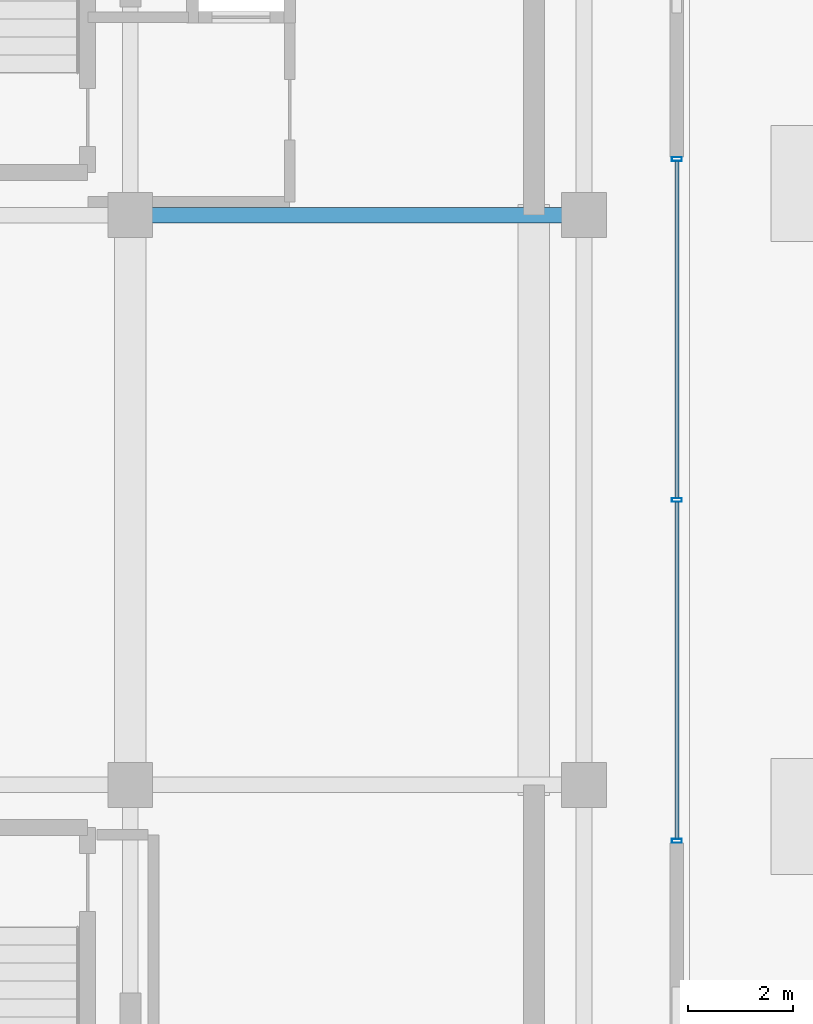
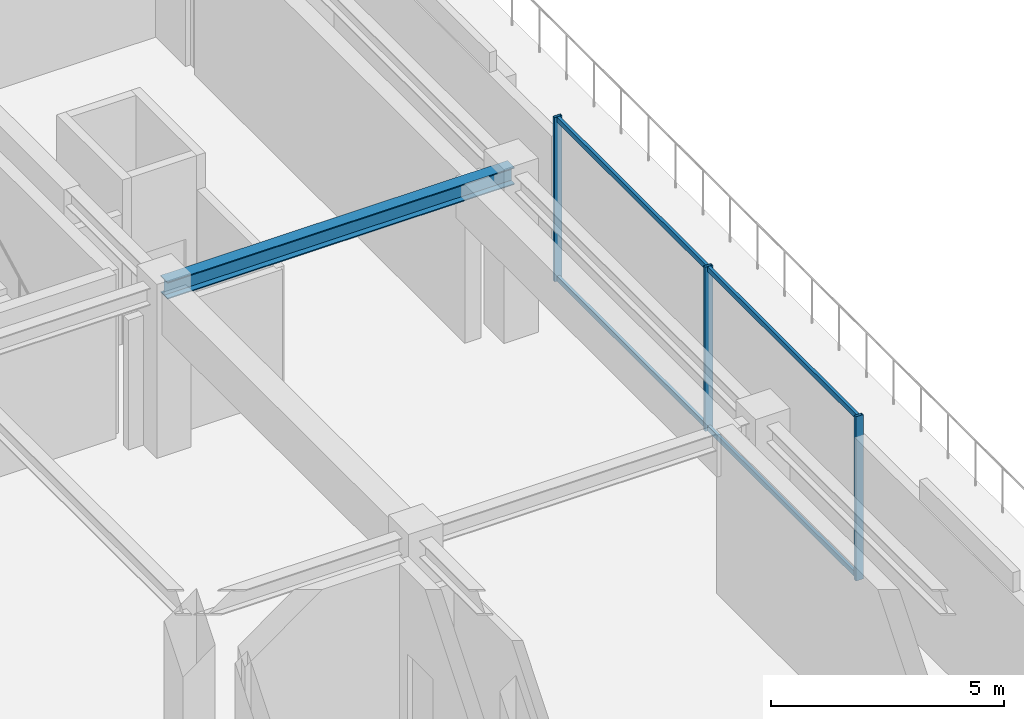
# One storey, part 2 of 13: 7 members, 1 beam, 1 element without a shape of its own.
"""IFC4 building model written with IfcOpenShell, lengths in metres."""

import ifcopenshell
import ifcopenshell.guid

model = None  # the IFC model being written
_history = None  # IfcOwnerHistory: only IFC2X3 demands one
_inside = {}  # id of a spatial element -> (the spatial element, [elements in it])
_under = {}  # id of a project, library or spatial element -> (it, [spatial elements below it])
_declared = {}  # id of a project -> (the project, [libraries it declares])
_typed = {}  # id of a type object -> (the type object, [elements of that type])
_made_of = {}  # id of a material, layer set ... -> (it, [elements and type objects made of it])


def new_model(schema):
    """Start an empty IFC model of exactly this schema.

    Asked for "IFC4X3", IfcOpenShell would pick the latest addendum, in which some entities
    have other attributes; the version numbers below select the first issue.
    IFC2X3 requires an IfcOwnerHistory on every rooted entity: one is made here for all.
    """
    global model, _history
    if schema == "IFC4X3":
        model = ifcopenshell.file(schema_version=(4, 3, 0, 0))
    else:
        model = ifcopenshell.file(schema=schema)
    _inside.clear()
    _under.clear()
    _declared.clear()
    _typed.clear()
    _made_of.clear()
    _history = None
    if model.schema == "IFC2X3":
        org = make("IfcOrganization", Name="unknown")
        user = make(
            "IfcPersonAndOrganization",
            ThePerson=make("IfcPerson", FamilyName="unknown"),
            TheOrganization=org,
        )
        app = make(
            "IfcApplication",
            ApplicationDeveloper=org,
            Version="unknown",
            ApplicationFullName="unknown",
            ApplicationIdentifier="unknown",
        )
        _history = make(
            "IfcOwnerHistory",
            OwningUser=user,
            OwningApplication=app,
            ChangeAction="ADDED",
            CreationDate=0,
        )
    return model


def make(cls, **values):
    """One entity of the class cls with the attributes given. An attribute that is None is left unset."""
    return model.create_entity(
        cls, **{name: value for name, value in values.items() if value is not None}
    )


def rooted(cls, **values):
    """An entity with a GlobalId (a new one), such as an element, a storey or a relation."""
    return make(cls, GlobalId=ifcopenshell.guid.new(), OwnerHistory=_history, **values)


def si_unit(unit_type, name, prefix=None):
    """IfcSIUnit, for example si_unit("LENGTHUNIT", "METRE", prefix="MILLI")."""
    return make("IfcSIUnit", UnitType=unit_type, Prefix=prefix, Name=name)


def assignment(units):
    """IfcUnitAssignment: the units of a project."""
    return None if units is None else make("IfcUnitAssignment", Units=units)


def point(xyz):
    """IfcCartesianPoint."""
    return None if xyz is None else make("IfcCartesianPoint", Coordinates=xyz)


def direction(xyz):
    """IfcDirection."""
    return None if xyz is None else make("IfcDirection", DirectionRatios=xyz)


def frame(location, z_axis=None, x_axis=None):
    """IfcAxis2Placement3D, a coordinate frame: its origin and axes. An axis left out is left unset."""
    return make(
        "IfcAxis2Placement3D",
        Location=point(location),
        Axis=direction(z_axis),
        RefDirection=direction(x_axis),
    )


def frame_2d(location, x_axis=None):
    """IfcAxis2Placement2D, a coordinate frame in the plane: its origin and x axis."""
    return make(
        "IfcAxis2Placement2D", Location=point(location), RefDirection=direction(x_axis)
    )


def origin():
    """The frame at (0, 0, 0) with its axes left unset."""
    return frame((0.0, 0.0, 0.0))


def origin_2d():
    """The frame at (0, 0) in the plane with its x axis left unset."""
    return frame_2d((0.0, 0.0))


def place(relative_to, where):
    """IfcLocalPlacement: puts the frame where relative to a parent placement (None: the world)."""
    return make(
        "IfcLocalPlacement", PlacementRelTo=relative_to, RelativePlacement=where
    )


def context(
    kind, dimensions, precision=None, world=None, true_north=None, identifier=None
):
    """IfcGeometricRepresentationContext, for example the 3D "Model" context."""
    return make(
        "IfcGeometricRepresentationContext",
        ContextIdentifier=identifier,
        ContextType=kind,
        CoordinateSpaceDimension=dimensions,
        Precision=precision,
        WorldCoordinateSystem=world,
        TrueNorth=true_north,
    )


def subcontext(parent, identifier, kind, view, scale=None):
    """IfcGeometricRepresentationSubContext, for example "Body" below "Model"."""
    return make(
        "IfcGeometricRepresentationSubContext",
        ContextIdentifier=identifier,
        ContextType=kind,
        ParentContext=parent,
        TargetScale=scale,
        TargetView=view,
    )


def project(units=None, contexts=None):
    """IfcProject with its units and contexts."""
    return rooted(
        "IfcProject",
        Name="project",
        RepresentationContexts=contexts,
        UnitsInContext=assignment(units),
    )


def spatial(cls, under=None, at=None, **own):
    """A site, building, storey or space (cls), placed at a placement, below another one or the project."""
    s = rooted(cls, ObjectPlacement=at, **own)
    if under is not None:
        _under.setdefault(under.id(), (under, []))[1].append(s)
    return s


def profile(cls, at=None, kind="AREA", **sizes):
    """A parametric profile (cls). Its sizes go by their IFC names, for example OverallWidth=200.0."""
    return make(cls, ProfileType=kind, Position=at, **sizes)


def hollow_rectangle(**sizes):
    """IfcRectangleHollowProfileDef."""
    return profile("IfcRectangleHollowProfileDef", **sizes)


def i_section(**sizes):
    """IfcIShapeProfileDef."""
    return profile("IfcIShapeProfileDef", **sizes)


def extrude(swept, where, along, depth):
    """IfcExtrudedAreaSolid: the profile swept, set in the frame where, extruded along a direction by depth."""
    return make(
        "IfcExtrudedAreaSolid",
        SweptArea=swept,
        Position=where,
        ExtrudedDirection=direction(along),
        Depth=depth,
    )


def shape(context_of_items, identifier, shape_type, items):
    """IfcShapeRepresentation: the items that make up one representation, for example the "Body"."""
    return make(
        "IfcShapeRepresentation",
        ContextOfItems=context_of_items,
        RepresentationIdentifier=identifier,
        RepresentationType=shape_type,
        Items=items,
    )


def source(mapping_origin, context_of_items, identifier, shape_type, items):
    """IfcRepresentationMap: a shape defined once, which mapped items show again and again."""
    return make(
        "IfcRepresentationMap",
        MappingOrigin=mapping_origin,
        MappedRepresentation=shape(context_of_items, identifier, shape_type, items),
    )


def transform(
    local_origin,
    x_axis=None,
    y_axis=None,
    z_axis=None,
    scale=None,
    scale2=None,
    scale3=None,
    uniform=True,
):
    """IfcCartesianTransformationOperator3D, or its non-uniform kind. x_axis, y_axis, z_axis: its Axis1, 2, 3."""
    if uniform:
        return make(
            "IfcCartesianTransformationOperator3D",
            Axis1=direction(x_axis),
            Axis2=direction(y_axis),
            LocalOrigin=point(local_origin),
            Scale=scale,
            Axis3=direction(z_axis),
        )
    return make(
        "IfcCartesianTransformationOperator3DnonUniform",
        Axis1=direction(x_axis),
        Axis2=direction(y_axis),
        LocalOrigin=point(local_origin),
        Scale=scale,
        Axis3=direction(z_axis),
        Scale2=scale2,
        Scale3=scale3,
    )


def mapped(mapping_source, mapping_target):
    """IfcMappedItem: shows the shape of a source again, moved by a transform."""
    return make(
        "IfcMappedItem", MappingSource=mapping_source, MappingTarget=mapping_target
    )


def material(Name=None, Category=None):
    """IfcMaterial."""
    return make("IfcMaterial", Name=Name, Category=Category)


def material_profile(
    of_material, cross_section, Name=None, Category=None, Priority=None
):
    """IfcMaterialProfile: a cross section and its material."""
    return make(
        "IfcMaterialProfile",
        Name=Name,
        Material=of_material,
        Profile=cross_section,
        Priority=Priority,
        Category=Category,
    )


def profile_set(profiles, Name=None, composite=None):
    """IfcMaterialProfileSet."""
    return make(
        "IfcMaterialProfileSet",
        Name=Name,
        MaterialProfiles=profiles,
        CompositeProfile=composite,
    )


def made_of(thing, what):
    """Note that an element or type object is made of a material, layer set ...; save() writes the relation."""
    if what is not None:
        _made_of.setdefault(what.id(), (what, []))[1].append(thing)
    return thing


def type_object(cls, material=None, **own):
    """A type object (cls), such as IfcWallType, which elements share."""
    return made_of(rooted(cls, **own), material)


def element(
    cls,
    number,
    at=None,
    inside=None,
    cuts=None,
    type_object=None,
    material=None,
    context=None,
    identifier="Body",
    shape_type=None,
    held_by="IfcProductDefinitionShape",
    body=None,
    shapes=None,
    **own,
):
    """One element of the class cls, such as IfcWall. Its Tag is "e" and its number.

    at: its placement. inside: the storey or other place that contains it. cuts: it is an
    opening in that element (IfcRelVoidsElement). A single representation is given by context,
    identifier, shape_type and body (its items); several are given by shapes. held_by: the class
    of the entity that holds the representations. save() writes the other relations.
    """
    e = rooted(cls, Tag="e%d" % number, ObjectPlacement=at, **own)
    if body is not None:
        shapes = [shape(context, identifier, shape_type, body)]
    if shapes is not None:
        e.Representation = make(held_by, Representations=shapes)
    if inside is not None:
        _inside.setdefault(inside.id(), (inside, []))[1].append(e)
    if cuts is not None:
        rooted(
            "IfcRelVoidsElement", RelatingBuildingElement=cuts, RelatedOpeningElement=e
        )
    if type_object is not None:
        _typed.setdefault(type_object.id(), (type_object, []))[1].append(e)
    return made_of(e, material)


def aggregate(whole, parts):
    """IfcRelAggregates: a whole, such as a stair, and the parts it consists of."""
    return rooted("IfcRelAggregates", RelatingObject=whole, RelatedObjects=parts)


def save(model, path):
    """Write the relations noted so far, then the file.

    IfcRelAggregates (storeys below a building ...), IfcRelContainedInSpatialStructure (elements
    in a storey), IfcRelDefinesByType, IfcRelAssociatesMaterial and IfcRelDeclares: one each for
    every whole, place, type object, material and project.
    """
    for whole, parts in _under.values():
        aggregate(whole, parts)
    for where, things in _inside.values():
        rooted(
            "IfcRelContainedInSpatialStructure",
            RelatedElements=things,
            RelatingStructure=where,
        )
    for kind, things in _typed.values():
        rooted("IfcRelDefinesByType", RelatedObjects=things, RelatingType=kind)
    for what, things in _made_of.values():
        rooted("IfcRelAssociatesMaterial", RelatedObjects=things, RelatingMaterial=what)
    for by, libraries in _declared.values():
        rooted("IfcRelDeclares", RelatingContext=by, RelatedDefinitions=libraries)
    model.write(path)


model = new_model("IFC4")

# Units and contexts
model_context = context("Model", 3, precision=1e-05, world=origin(), true_north=direction((0.0, 1.0)))
body_context = subcontext(model_context, "Body", "Model", "MODEL_VIEW")
ifc_project = project(units=[si_unit("LENGTHUNIT", "METRE"), si_unit("AREAUNIT", "SQUARE_METRE"), si_unit("VOLUMEUNIT", "CUBIC_METRE"), si_unit("PLANEANGLEUNIT", "RADIAN"), si_unit("MASSUNIT", "GRAM", prefix="KILO")], contexts=[model_context])

# Site, building, storey
site_placement = place(None, origin())
site = spatial("IfcSite", under=ifc_project, at=site_placement, CompositionType="ELEMENT")
building_placement = place(site_placement, origin())
building = spatial("IfcBuilding", under=site, at=building_placement, Name="Nahalor Promenade Grand Hotel", CompositionType="ELEMENT")
storey_placement = place(building_placement, frame((0.0, 0.0, 357.050048828125)))
storey = spatial("IfcBuildingStorey", under=building, at=storey_placement, Name="L91", CompositionType="ELEMENT", Elevation=357.050048828125)

# Beam
ifc_material_1 = material(Name="Steel S355JR", Category="steel")
ifc_material_profile_1 = material_profile(ifc_material_1, i_section(OverallWidth=0.3, OverallDepth=0.45, WebThickness=0.014, FlangeThickness=0.026, at=origin_2d()), Name="HEB 450")
ifc_profile_set_1 = profile_set([ifc_material_profile_1], Name="Steel S355JR")
beam_type = type_object("IfcBeamType", Name="Beam-Girder-HEB450", PredefinedType="BEAM", material=ifc_profile_set_1)
shared_shape_1 = source(origin(), body_context, "Body", "SweptSolid", [
    extrude(i_section(OverallWidth=0.3, OverallDepth=0.45, WebThickness=0.014, FlangeThickness=0.026, at=origin_2d()), origin(), (0.0, 0.0, 1.0), 8.60009765625),
])
beam_placement = place(storey_placement, frame((8.39990234375, 5.39990234375, 4.074951171875), z_axis=(1.0, 0.0, 0.0), x_axis=(0.0, 1.0, 0.0)))
element("IfcBeam", 1, at=beam_placement, inside=storey, type_object=beam_type, Name="BM-L91-GX-2-4", PredefinedType="BEAM", context=body_context, shape_type="MappedRepresentation", body=[
    mapped(shared_shape_1, transform((0.0, 0.0, 0.0), scale=1.0)),
])

# Curtain wall, members
ifc_material_2 = material(Name="Anodised Bronze Aluminium EN AW-6063 T6", Category="aluminium")
curtain_wall_type = type_object("IfcCurtainWallType", Name="CW6 Crown Botanical Conservatory Curtain Wall", PredefinedType="USERDEFINED", material=ifc_material_2)
curtain_wall_placement = place(storey_placement, origin())
curtain_wall = element("IfcCurtainWall", 2, at=curtain_wall_placement, inside=storey, type_object=curtain_wall_type, Name="L91 Curtain Wall CW-L91-E", ObjectType="UNITISED_CURTAIN_WALL", PredefinedType="USERDEFINED")
ifc_material_profile_2 = material_profile(ifc_material_2, hollow_rectangle(XDim=0.075, YDim=0.135, WallThickness=0.004, at=origin_2d()), Name="CWT 75x135x4")
ifc_profile_set_2 = profile_set([ifc_material_profile_2], Name="Anodised Bronze Aluminium EN AW-6063 T6")
member_type_1 = type_object("IfcMemberType", Name="CWT6 Conservatory Transom 75x135", PredefinedType="USERDEFINED", material=ifc_profile_set_2)
shared_shape_2 = source(origin(), body_context, "Body", "SweptSolid", [
    extrude(hollow_rectangle(XDim=0.075, YDim=0.135, WallThickness=0.004, at=origin_2d()), origin(), (0.0, 0.0, 1.0), 6.387451171875),
])
member_1_placement = place(storey_placement, frame((18.760009765625, -6.425048828125, 0.0673828125), z_axis=(0.0, 1.0, 0.0), x_axis=(-1.0, 0.0, 0.0)))
member_1 = element("IfcMember", 3, at=member_1_placement, type_object=member_type_1, Name="CW-L91-E Transom 0-0", ObjectType="TRANSOM", PredefinedType="USERDEFINED", context=body_context, shape_type="MappedRepresentation", body=[
    mapped(shared_shape_2, transform((0.0, 0.0, 0.0), scale=1.0)),
])
member_2_placement = place(storey_placement, frame((18.760009765625, -6.425048828125, 4.232421875), z_axis=(0.0, 1.0, 0.0), x_axis=(-1.0, 0.0, 0.0)))
member_2 = element("IfcMember", 4, at=member_2_placement, type_object=member_type_1, Name="CW-L91-E Transom 0-1", ObjectType="TRANSOM", PredefinedType="USERDEFINED", context=body_context, shape_type="MappedRepresentation", body=[
    mapped(shared_shape_2, transform((0.0, 0.0, 0.0), scale=1.0)),
])
member_3_placement = place(storey_placement, frame((18.760009765625, 0.03759765625, 0.0673828125), z_axis=(0.0, 1.0, 0.0), x_axis=(-1.0, 0.0, 0.0)))
member_3 = element("IfcMember", 5, at=member_3_placement, type_object=member_type_1, Name="CW-L91-E Transom 1-0", ObjectType="TRANSOM", PredefinedType="USERDEFINED", context=body_context, shape_type="MappedRepresentation", body=[
    mapped(shared_shape_2, transform((0.0, 0.0, 0.0), scale=1.0)),
])
member_4_placement = place(storey_placement, frame((18.760009765625, 0.03759765625, 4.232421875), z_axis=(0.0, 1.0, 0.0), x_axis=(-1.0, 0.0, 0.0)))
member_4 = element("IfcMember", 6, at=member_4_placement, type_object=member_type_1, Name="CW-L91-E Transom 1-1", ObjectType="TRANSOM", PredefinedType="USERDEFINED", context=body_context, shape_type="MappedRepresentation", body=[
    mapped(shared_shape_2, transform((0.0, 0.0, 0.0), scale=1.0)),
])
ifc_material_profile_3 = material_profile(ifc_material_2, hollow_rectangle(XDim=0.075, YDim=0.19, WallThickness=0.005, at=origin_2d()), Name="CWM 75x190x5")
ifc_profile_set_3 = profile_set([ifc_material_profile_3], Name="Anodised Bronze Aluminium EN AW-6063 T6")
member_type_2 = type_object("IfcMemberType", Name="CWM6 Conservatory Bronze Mullion 75x190", PredefinedType="MULLION", material=ifc_profile_set_3)
shared_shape_3 = source(origin(), body_context, "Body", "SweptSolid", [
    extrude(hollow_rectangle(XDim=0.075, YDim=0.19, WallThickness=0.005, at=origin_2d()), origin(), (0.0, 0.0, 1.0), 4.300048828125),
])
member_5_placement = place(storey_placement, frame((18.760009765625, -6.46240234375, 0.0), z_axis=(0.0, 0.0, 1.0), x_axis=(0.0, 1.0, 0.0)))
member_5 = element("IfcMember", 7, at=member_5_placement, type_object=member_type_2, Name="CW-L91-E Mullion 0", PredefinedType="MULLION", context=body_context, shape_type="MappedRepresentation", body=[
    mapped(shared_shape_3, transform((0.0, 0.0, 0.0), scale=1.0)),
])
member_6_placement = place(storey_placement, frame((18.760009765625, 0.0, 0.0), z_axis=(0.0, 0.0, 1.0), x_axis=(0.0, 1.0, 0.0)))
member_6 = element("IfcMember", 8, at=member_6_placement, type_object=member_type_2, Name="CW-L91-E Mullion 1", PredefinedType="MULLION", context=body_context, shape_type="MappedRepresentation", body=[
    mapped(shared_shape_3, transform((0.0, 0.0, 0.0), scale=1.0)),
])
member_7_placement = place(storey_placement, frame((18.760009765625, 6.46240234375, 0.0), z_axis=(0.0, 0.0, 1.0), x_axis=(0.0, 1.0, 0.0)))
member_7 = element("IfcMember", 9, at=member_7_placement, type_object=member_type_2, Name="CW-L91-E Mullion 2", PredefinedType="MULLION", context=body_context, shape_type="MappedRepresentation", body=[
    mapped(shared_shape_3, transform((0.0, 0.0, 0.0), scale=1.0)),
])
aggregate(curtain_wall, [member_5, member_6, member_7, member_1, member_2, member_3, member_4])

save(model, "model.ifc")
